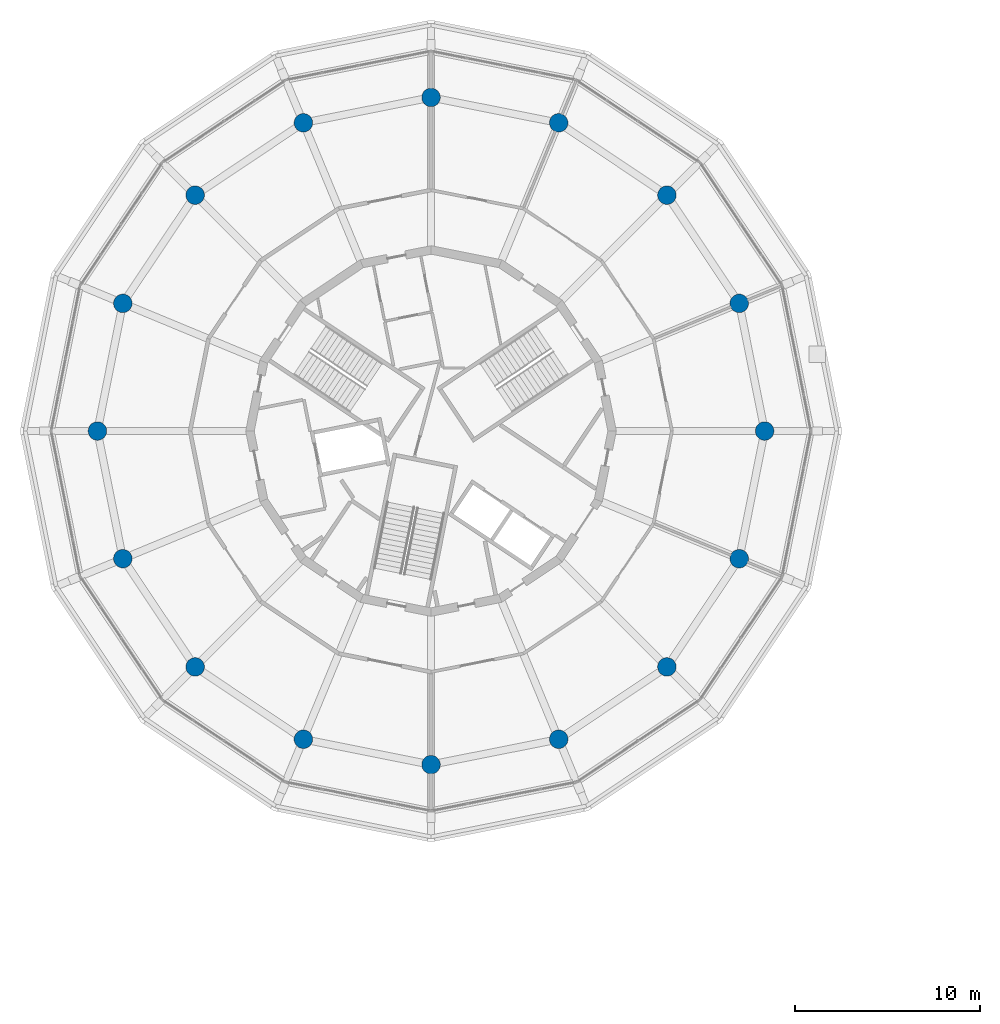
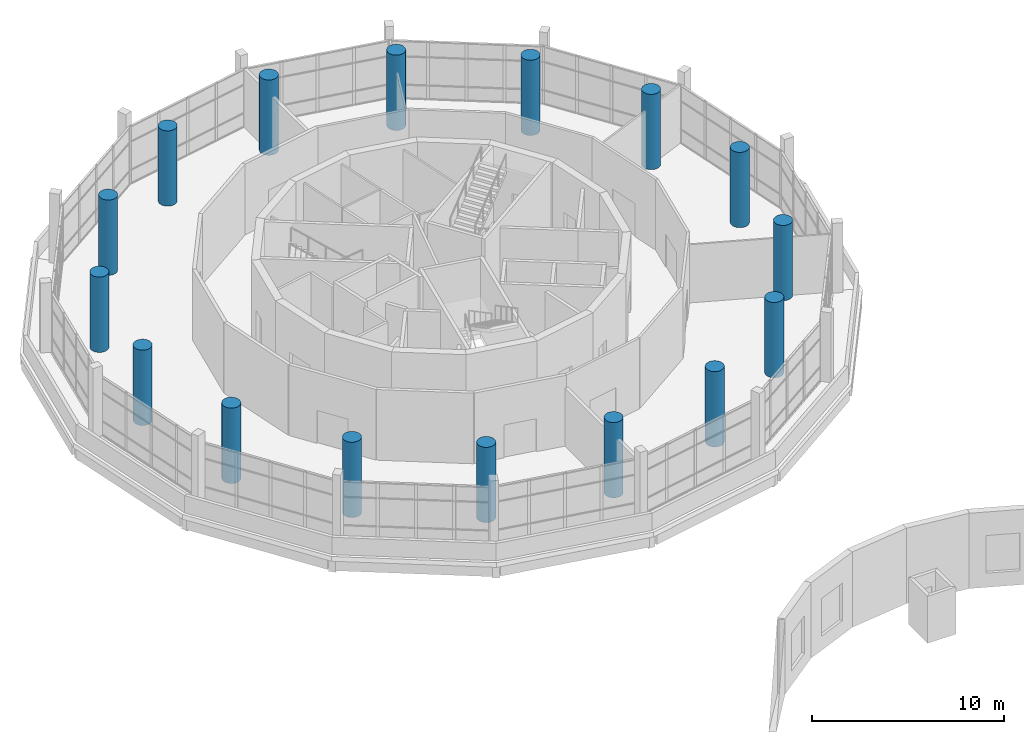
# One storey, part 1 of 40: 16 columns.
"""IFC4 building model written with IfcOpenShell, lengths in metres."""

from ifc_helpers import new_model, si_unit, direction, frame, origin, origin_2d, place, context, subcontext, project, spatial, circle, extrude, material, material_profile, profile_set, type_object, element, save


model = new_model("IFC4")

# Units and contexts
model_context = context("Model", 3, precision=1e-05, world=origin(), true_north=direction((0.0, 1.0)))
body_context = subcontext(model_context, "Body", "Model", "MODEL_VIEW")
ifc_project = project(units=[si_unit("LENGTHUNIT", "METRE"), si_unit("AREAUNIT", "SQUARE_METRE"), si_unit("VOLUMEUNIT", "CUBIC_METRE"), si_unit("PLANEANGLEUNIT", "RADIAN"), si_unit("MASSUNIT", "GRAM", prefix="KILO")], contexts=[model_context])

# Site, building, storey
site_placement = place(None, origin())
site = spatial("IfcSite", under=ifc_project, at=site_placement, CompositionType="ELEMENT")
building_placement = place(site_placement, origin())
building = spatial("IfcBuilding", under=site, at=building_placement, Name="Ceibo Conservatory and Research Tower", CompositionType="ELEMENT")
storey_placement = place(building_placement, frame((0.0, 0.0, 6.0)))
storey = spatial("IfcBuildingStorey", under=building, at=storey_placement, Name="L01", CompositionType="ELEMENT", Elevation=6.0)

# Columns
ifc_material = material(Name="Concrete C40/50", Category="concrete")
ifc_material_profile = material_profile(ifc_material, circle(Radius=0.5, at=origin_2d()), Name="RC D1000")
ifc_profile_set = profile_set([ifc_material_profile], Name="Concrete C40/50")
column_type = type_object("IfcColumnType", Name="RC column D1000 C40", PredefinedType="COLUMN", material=ifc_profile_set)
for number, where, z_axis, x_axis, name in (
    (1, (66.0, 120.0, 0.0), (0.0, 0.0, 1.0), (1.0, 0.0, 0.0), "Column R1 L01"),
    (2, (64.6298828125, 126.88818359375, 0.0), (0.0, 0.0, 1.0), (1.0, 0.0, 0.0), "Column R2 L01"),
    (3, (60.72802734375, 132.72802734375, 0.0), (0.0, 0.0, 1.0), (1.0, 0.0, 0.0), "Column R3 L01"),
    (4, (54.88818359375, 136.6298828125, 0.0), (0.0, 0.0, 1.0), (1.0, 0.0, 0.0), "Column R4 L01"),
    (5, (48.0, 138.0, 0.0), (0.0, 0.0, 1.0), (1.0, 0.0, 0.0), "Column R5 L01"),
    (6, (41.11181640625, 136.6298828125, 0.0), (0.0, 0.0, 1.0), (1.0, 0.0, 0.0), "Column R6 L01"),
    (7, (35.27197265625, 132.72802734375, 0.0), (0.0, 0.0, 1.0), (1.0, 0.0, 0.0), "Column R7 L01"),
    (8, (31.3701171875, 126.88818359375, 0.0), (0.0, 0.0, 1.0), (1.0, 0.0, 0.0), "Column R8 L01"),
    (9, (30.0, 120.0, 0.0), (0.0, 0.0, 1.0), (1.0, 0.0, 0.0), "Column R9 L01"),
    (10, (31.3701171875, 113.11181640625, 0.0), (0.0, 0.0, 1.0), (1.0, 0.0, 0.0), "Column R10 L01"),
    (11, (35.27197265625, 107.27197265625, 0.0), (0.0, 0.0, 1.0), (1.0, 0.0, 0.0), "Column R11 L01"),
    (12, (41.11181640625, 103.3701171875, 0.0), (0.0, 0.0, 1.0), (1.0, 0.0, 0.0), "Column R12 L01"),
    (13, (48.0, 102.0, 0.0), (0.0, 0.0, 1.0), (1.0, 0.0, 0.0), "Column R13 L01"),
    (14, (54.88818359375, 103.3701171875, 0.0), (0.0, 0.0, 1.0), (1.0, 0.0, 0.0), "Column R14 L01"),
    (15, (60.72802734375, 107.27197265625, 0.0), (0.0, 0.0, 1.0), (1.0, 0.0, 0.0), "Column R15 L01"),
    (16, (64.6298828125, 113.11181640625, 0.0), (0.0, 0.0, 1.0), (1.0, 0.0, 0.0), "Column R16 L01"),
):
    element("IfcColumn", number, at=place(storey_placement, frame(where, z_axis=z_axis, x_axis=x_axis)), inside=storey, type_object=column_type, Name=name, PredefinedType="COLUMN", context=body_context, shape_type="SweptSolid", body=[
        extrude(circle(Radius=0.5, at=origin_2d()), origin(), (0.0, 0.0, 1.0), 4.800048828125),
    ])

save(model, "model.ifc")
